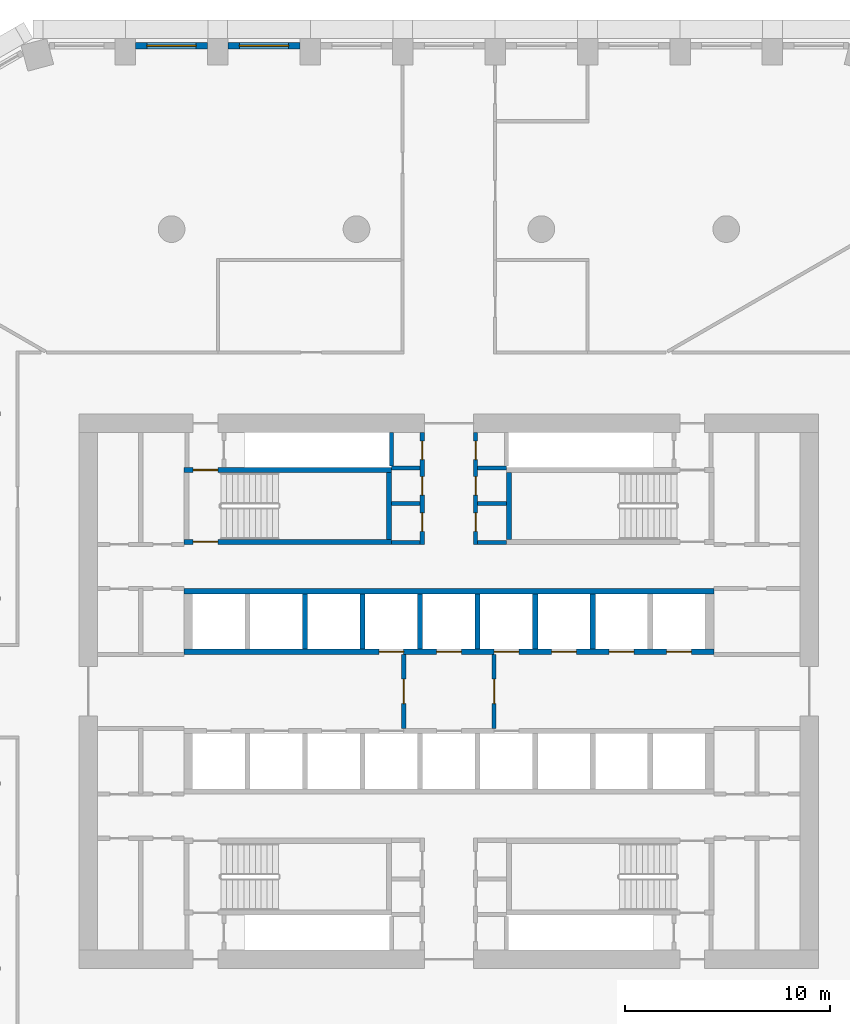
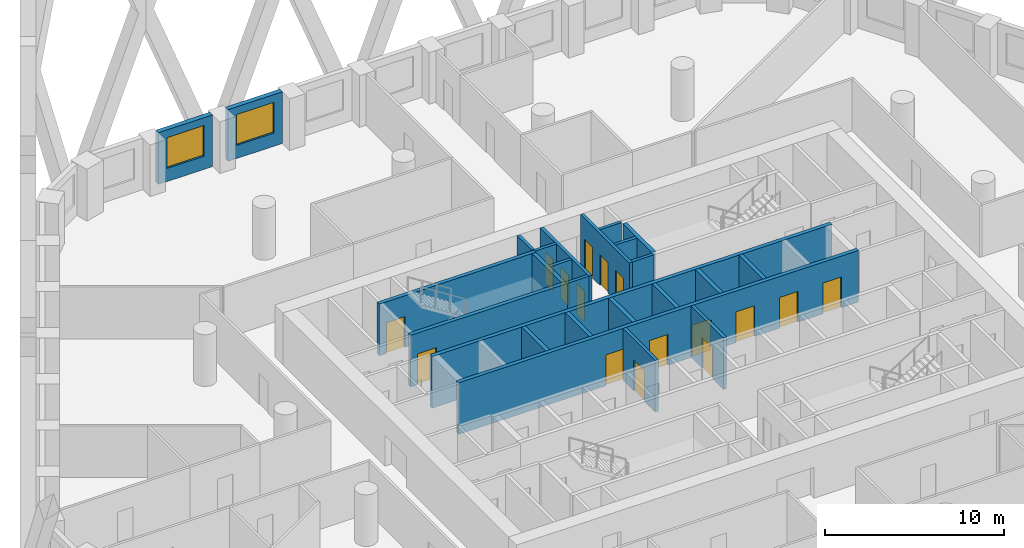
# One storey, part 6 of 18: 25 walls, 16 doors, 2 windows, 18 openings.
"""IFC4 building model written with IfcOpenShell, lengths in metres."""

from ifc_helpers import new_model, si_unit, direction, frame, frame_2d, origin, place, context, subcontext, project, spatial, polyline, rectangle, outline, extrude, material, layer, layer_set, type_object, element, fill, save


model = new_model("IFC4")

# Units and contexts
model_context = context("Model", 3, precision=1e-05, world=origin(), true_north=direction((0.0, 1.0)))
body_context = subcontext(model_context, "Body", "Model", "MODEL_VIEW")
ifc_project = project(units=[si_unit("LENGTHUNIT", "METRE"), si_unit("AREAUNIT", "SQUARE_METRE"), si_unit("VOLUMEUNIT", "CUBIC_METRE"), si_unit("PLANEANGLEUNIT", "RADIAN"), si_unit("MASSUNIT", "GRAM", prefix="KILO")], contexts=[model_context])

# Site, building, storey
site_placement = place(None, origin())
site = spatial("IfcSite", under=ifc_project, at=site_placement, CompositionType="ELEMENT")
building_placement = place(site_placement, origin())
building = spatial("IfcBuilding", under=site, at=building_placement, Name="Dhurran Vertical Campus", CompositionType="ELEMENT")
storey_placement = place(building_placement, frame((0.0, 0.0, 104.699951171875)))
storey = spatial("IfcBuildingStorey", under=building, at=storey_placement, Name="L25", CompositionType="ELEMENT", Elevation=104.699951171875)

# Wall, opening, window
ifc_material_1 = material(Name="Precast concrete C50/60", Category="concrete")
ifc_layer_1 = layer(ifc_material_1, 0.300048828125)
ifc_layer_set_1 = layer_set([ifc_layer_1], Name="Precast concrete C50/60")
wall_type_1 = type_object("IfcWallType", Name="Precast spandrel wall 300", PredefinedType="SOLIDWALL", material=ifc_layer_set_1)
wall_1_placement = place(storey_placement, frame((-7.25048828125, 31.4296875, 0.0), z_axis=(0.0, 0.0, 1.0), x_axis=(-1.0, 0.0, 0.0)))
wall_1 = element("IfcWall", 1, at=wall_1_placement, inside=storey, type_object=wall_type_1, Name="EW1 L25.32", PredefinedType="SOLIDWALL", context=body_context, shape_type="SweptSolid", body=[
    extrude(rectangle(XDim=3.4990234375, YDim=0.300048828125, at=frame_2d((1.74951171875, 0.0))), origin(), (0.0, 0.0, 1.0), 3.525146484375),
])
opening_1_placement = place(wall_1_placement, frame((0.549560546875, 0.0, 0.89990234375)))
opening_1 = element("IfcOpeningElement", 2, at=opening_1_placement, cuts=wall_1, Name="Opening WT1", PredefinedType="OPENING", context=body_context, shape_type="SweptSolid", body=[
    extrude(rectangle(XDim=2.39990234375, YDim=2.10009765625, at=frame_2d((1.199951171875, 1.050048828125))), frame((0.0, 0.159912109375, 0.0), z_axis=(0.0, -1.0, 0.0), x_axis=(1.0, 0.0, 0.0)), (0.0, 0.0, 1.0), 0.320068359375),
])
ifc_material_2 = material(Name="Aluminium frame with solar-control glass", Category="aluminium")
window_type = type_object("IfcWindowType", Name="Punched window 2400 x 2100", PartitioningType="SINGLE_PANEL", PredefinedType="WINDOW", material=ifc_material_2)
window_1_placement = place(opening_1_placement, origin())
window_1 = element("IfcWindow", 3, at=window_1_placement, inside=storey, type_object=window_type, Name="WT1 L25.32", OverallHeight=2.10009765625, OverallWidth=2.39990234375, PartitioningType="SINGLE_PANEL", PredefinedType="WINDOW", context=body_context, shape_type="SweptSolid", body=[
    extrude(rectangle(XDim=2.39990234375, YDim=2.10009765625, at=frame_2d((1.199951171875, 1.050048828125))), frame((0.0, 0.030029296875, 0.0), z_axis=(0.0, -1.0, 0.0), x_axis=(1.0, 0.0, 0.0)), (0.0, 0.0, 1.0), 0.06005859375),
])
fill(opening_1, window_1)

wall_2_placement = place(storey_placement, frame((-11.75048828125, 31.4296875, 0.0), z_axis=(0.0, 0.0, 1.0), x_axis=(-1.0, 0.0, 0.0)))
wall_2 = element("IfcWall", 4, at=wall_2_placement, inside=storey, type_object=wall_type_1, Name="EW1 L25.33", PredefinedType="SOLIDWALL", context=body_context, shape_type="SweptSolid", body=[
    extrude(rectangle(XDim=3.4990234375, YDim=0.300048828125, at=frame_2d((1.74951171875, 0.0))), origin(), (0.0, 0.0, 1.0), 3.525146484375),
])
opening_2_placement = place(wall_2_placement, frame((0.549560546875, 0.0, 0.89990234375)))
opening_2 = element("IfcOpeningElement", 5, at=opening_2_placement, cuts=wall_2, Name="Opening WT1", PredefinedType="OPENING", context=body_context, shape_type="SweptSolid", body=[
    extrude(rectangle(XDim=2.39990234375, YDim=2.10009765625, at=frame_2d((1.199951171875, 1.050048828125))), frame((0.0, 0.159912109375, 0.0), z_axis=(0.0, -1.0, 0.0), x_axis=(1.0, 0.0, 0.0)), (0.0, 0.0, 1.0), 0.320068359375),
])
window_2_placement = place(opening_2_placement, origin())
window_2 = element("IfcWindow", 6, at=window_2_placement, inside=storey, type_object=window_type, Name="WT1 L25.33", OverallHeight=2.10009765625, OverallWidth=2.39990234375, PartitioningType="SINGLE_PANEL", PredefinedType="WINDOW", context=body_context, shape_type="SweptSolid", body=[
    extrude(rectangle(XDim=2.39990234375, YDim=2.10009765625, at=frame_2d((1.199951171875, 1.050048828125))), frame((0.0, 0.030029296875, 0.0), z_axis=(0.0, -1.0, 0.0), x_axis=(1.0, 0.0, 0.0)), (0.0, 0.0, 1.0), 0.06005859375),
])
fill(opening_2, window_2)

# Wall, opening, door
ifc_material_3 = material(Name="Fire-rated masonry blockwork", Category="masonry")
ifc_layer_2 = layer(ifc_material_3, 0.199951171875)
ifc_layer_set_2 = layer_set([ifc_layer_2], Name="Fire-rated masonry blockwork")
wall_type_2 = type_object("IfcWallType", Name="co-FIRE-PARTITION-200", PredefinedType="PARTITIONING", material=ifc_layer_set_2)
wall_3_placement = place(storey_placement, frame((-2.199951171875, -1.800048828125, 0.0), z_axis=(0.0, 0.0, 1.0), x_axis=(0.0, 1.0, 0.0)))
wall_3 = element("IfcWall", 7, at=wall_3_placement, inside=storey, type_object=wall_type_2, Name="Firefighting lobby wall W L25", PredefinedType="PARTITIONING", context=body_context, shape_type="SweptSolid", body=[
    extrude(rectangle(XDim=3.60009765625, YDim=0.199951171875, at=frame_2d((1.800048828125, 0.0))), origin(), (0.0, 0.0, 1.0), 3.525146484375),
])
opening_3_placement = place(wall_3_placement, frame((1.199951171875, 0.0, 0.0)))
opening_3 = element("IfcOpeningElement", 8, at=opening_3_placement, cuts=wall_3, Name="Opening FL1", PredefinedType="OPENING", context=body_context, shape_type="SweptSolid", body=[
    extrude(rectangle(XDim=1.199951171875, YDim=2.10009765625, at=frame_2d((0.60009765625, 1.050048828125))), frame((0.0, 0.10986328125, 0.0), z_axis=(0.0, -1.0, 0.0), x_axis=(1.0, 0.0, 0.0)), (0.0, 0.0, 1.0), 0.219970703125),
])
ifc_material_4 = material(Name="Fire-rated steel door set", Category="steel")
door_type_1 = type_object("IfcDoorType", Name="co-D-FFLOBBY 1200x2100", OperationType="SINGLE_SWING_LEFT", PredefinedType="DOOR", material=ifc_material_4)
door_1_placement = place(opening_3_placement, origin())
door_1 = element("IfcDoor", 9, at=door_1_placement, inside=storey, type_object=door_type_1, Name="Firefighting lobby door W L25", OperationType="SINGLE_SWING_LEFT", OverallHeight=2.10009765625, OverallWidth=1.199951171875, PredefinedType="DOOR", context=body_context, shape_type="SweptSolid", body=[
    extrude(rectangle(XDim=1.199951171875, YDim=2.10009765625, at=frame_2d((0.60009765625, 1.050048828125))), frame((0.0, 0.02490234375, 0.0), z_axis=(0.0, -1.0, 0.0), x_axis=(1.0, 0.0, 0.0)), (0.0, 0.0, 1.0), 0.050048828125),
])
fill(opening_3, door_1)

wall_4_placement = place(storey_placement, frame((2.199951171875, -1.800048828125, 0.0), z_axis=(0.0, 0.0, 1.0), x_axis=(0.0, 1.0, 0.0)))
wall_4 = element("IfcWall", 10, at=wall_4_placement, inside=storey, type_object=wall_type_2, Name="Firefighting lobby wall E L25", PredefinedType="PARTITIONING", context=body_context, shape_type="SweptSolid", body=[
    extrude(rectangle(XDim=3.60009765625, YDim=0.199951171875, at=frame_2d((1.800048828125, 0.0))), origin(), (0.0, 0.0, 1.0), 3.525146484375),
])
opening_4_placement = place(wall_4_placement, frame((1.199951171875, 0.0, 0.0)))
opening_4 = element("IfcOpeningElement", 11, at=opening_4_placement, cuts=wall_4, Name="Opening FL2", PredefinedType="OPENING", context=body_context, shape_type="SweptSolid", body=[
    extrude(rectangle(XDim=1.199951171875, YDim=2.10009765625, at=frame_2d((0.60009765625, 1.050048828125))), frame((0.0, 0.10986328125, 0.0), z_axis=(0.0, -1.0, 0.0), x_axis=(1.0, 0.0, 0.0)), (0.0, 0.0, 1.0), 0.219970703125),
])
door_2_placement = place(opening_4_placement, origin())
door_2 = element("IfcDoor", 12, at=door_2_placement, inside=storey, type_object=door_type_1, Name="Firefighting lobby door E L25", OperationType="SINGLE_SWING_LEFT", OverallHeight=2.10009765625, OverallWidth=1.199951171875, PredefinedType="DOOR", context=body_context, shape_type="SweptSolid", body=[
    extrude(rectangle(XDim=1.199951171875, YDim=2.10009765625, at=frame_2d((0.60009765625, 1.050048828125))), frame((0.0, 0.02490234375, 0.0), z_axis=(0.0, -1.0, 0.0), x_axis=(1.0, 0.0, 0.0)), (0.0, 0.0, 1.0), 0.050048828125),
])
fill(opening_4, door_2)

# Walls
for number, where, z_axis, x_axis, name in (
    (13, (-2.800048828125, 7.25, 0.0), (0.0, 0.0, 1.0), (1.0, 0.0, 0.0), "Core partition sl-NW-S L25"),
    (14, (-2.800048828125, 9.135009765625, 0.0), (0.0, 0.0, 1.0), (1.0, 0.0, 0.0), "Core partition sl-NW-cut0 L25"),
    (15, (-2.800048828125, 10.867431640625, 0.0), (0.0, 0.0, 1.0), (1.0, 0.0, 0.0), "Core partition sl-NW-cut1 L25"),
    (16, (1.39990234375, 7.25, 0.0), (0.0, 0.0, 1.0), (1.0, 0.0, 0.0), "Core partition sl-NE-S L25"),
    (17, (1.39990234375, 9.135009765625, 0.0), (0.0, 0.0, 1.0), (1.0, 0.0, 0.0), "Core partition sl-NE-cut0 L25"),
    (18, (1.39990234375, 10.867431640625, 0.0), (0.0, 0.0, 1.0), (1.0, 0.0, 0.0), "Core partition sl-NE-cut1 L25"),
):
    element("IfcWall", number, at=place(storey_placement, frame(where, z_axis=z_axis, x_axis=x_axis)), inside=storey, type_object=wall_type_2, Name=name, PredefinedType="PARTITIONING", context=body_context, shape_type="SweptSolid", body=[
        extrude(rectangle(XDim=1.400146484375, YDim=0.199951171875, at=frame_2d((0.7001953125, 0.0))), origin(), (0.0, 0.0, 1.0), 3.525146484375),
    ])

# Wall, openings, doors
wall_5_placement = place(storey_placement, frame((-1.300048828125, 7.14990234375, 0.0), z_axis=(0.0, 0.0, 1.0), x_axis=(0.0, 1.0, 0.0)))
wall_5 = element("IfcWall", 19, at=wall_5_placement, inside=storey, type_object=wall_type_2, Name="Core partition vest-NW L25", PredefinedType="PARTITIONING", context=body_context, shape_type="SweptSolid", body=[
    extrude(rectangle(XDim=5.4501953125, YDim=0.199951171875, at=frame_2d((2.72509765625, 0.0))), origin(), (0.0, 0.0, 1.0), 3.525146484375),
])
opening_5_placement = place(wall_5_placement, frame((0.642578125, 0.0, 0.0)))
opening_5 = element("IfcOpeningElement", 20, at=opening_5_placement, cuts=wall_5, Name="Opening T07-C7", PredefinedType="OPENING", context=body_context, shape_type="SweptSolid", body=[
    extrude(rectangle(XDim=0.89990234375, YDim=2.10009765625, at=frame_2d((0.449951171875, 1.050048828125))), frame((0.0, 0.10986328125, 0.0), z_axis=(0.0, -1.0, 0.0), x_axis=(1.0, 0.0, 0.0)), (0.0, 0.0, 1.0), 0.219970703125),
])
opening_6_placement = place(wall_5_placement, frame((2.401123046875, 0.0, 0.0)))
opening_6 = element("IfcOpeningElement", 21, at=opening_6_placement, cuts=wall_5, Name="Opening T07-C8", PredefinedType="OPENING", context=body_context, shape_type="SweptSolid", body=[
    extrude(rectangle(XDim=0.89990234375, YDim=2.10009765625, at=frame_2d((0.449951171875, 1.050048828125))), frame((0.0, 0.10986328125, 0.0), z_axis=(0.0, -1.0, 0.0), x_axis=(1.0, 0.0, 0.0)), (0.0, 0.0, 1.0), 0.219970703125),
])
opening_7_placement = place(wall_5_placement, frame((4.1337890625, 0.0, 0.0)))
opening_7 = element("IfcOpeningElement", 22, at=opening_7_placement, cuts=wall_5, Name="Opening T07-C9", PredefinedType="OPENING", context=body_context, shape_type="SweptSolid", body=[
    extrude(rectangle(XDim=0.89990234375, YDim=2.10009765625, at=frame_2d((0.449951171875, 1.050048828125))), frame((0.0, 0.10986328125, 0.0), z_axis=(0.0, -1.0, 0.0), x_axis=(1.0, 0.0, 0.0)), (0.0, 0.0, 1.0), 0.219970703125),
])
ifc_material_5 = material(Name="Fire-rated timber door set", Category="wood")
door_type_2 = type_object("IfcDoorType", Name="co-D-ROOM 900x2100", OperationType="SINGLE_SWING_LEFT", PredefinedType="DOOR", material=ifc_material_5)
door_3_placement = place(opening_5_placement, origin())
door_3 = element("IfcDoor", 23, at=door_3_placement, inside=storey, type_object=door_type_2, Name="Plant room door L25", OperationType="SINGLE_SWING_LEFT", OverallHeight=2.10009765625, OverallWidth=0.89990234375, PredefinedType="DOOR", context=body_context, shape_type="SweptSolid", body=[
    extrude(rectangle(XDim=0.89990234375, YDim=2.10009765625, at=frame_2d((0.449951171875, 1.050048828125))), frame((0.0, 0.02490234375, 0.0), z_axis=(0.0, -1.0, 0.0), x_axis=(1.0, 0.0, 0.0)), (0.0, 0.0, 1.0), 0.050048828125),
])
fill(opening_5, door_3)
door_4_placement = place(opening_6_placement, origin())
door_4 = element("IfcDoor", 24, at=door_4_placement, inside=storey, type_object=door_type_2, Name="Communications room door L25", OperationType="SINGLE_SWING_LEFT", OverallHeight=2.10009765625, OverallWidth=0.89990234375, PredefinedType="DOOR", context=body_context, shape_type="SweptSolid", body=[
    extrude(rectangle(XDim=0.89990234375, YDim=2.10009765625, at=frame_2d((0.449951171875, 1.050048828125))), frame((0.0, 0.02490234375, 0.0), z_axis=(0.0, -1.0, 0.0), x_axis=(1.0, 0.0, 0.0)), (0.0, 0.0, 1.0), 0.050048828125),
])
fill(opening_6, door_4)
door_5_placement = place(opening_7_placement, origin())
door_5 = element("IfcDoor", 25, at=door_5_placement, inside=storey, type_object=door_type_2, Name="Water riser door L25", OperationType="SINGLE_SWING_LEFT", OverallHeight=2.10009765625, OverallWidth=0.89990234375, PredefinedType="DOOR", context=body_context, shape_type="SweptSolid", body=[
    extrude(rectangle(XDim=0.89990234375, YDim=2.10009765625, at=frame_2d((0.449951171875, 1.050048828125))), frame((0.0, 0.02490234375, 0.0), z_axis=(0.0, -1.0, 0.0), x_axis=(1.0, 0.0, 0.0)), (0.0, 0.0, 1.0), 0.050048828125),
])
fill(opening_7, door_5)

wall_6_placement = place(storey_placement, frame((1.300048828125, 7.14990234375, 0.0), z_axis=(0.0, 0.0, 1.0), x_axis=(0.0, 1.0, 0.0)))
wall_6 = element("IfcWall", 26, at=wall_6_placement, inside=storey, type_object=wall_type_2, Name="Core partition vest-NE L25", PredefinedType="PARTITIONING", context=body_context, shape_type="SweptSolid", body=[
    extrude(rectangle(XDim=5.4501953125, YDim=0.199951171875, at=frame_2d((2.72509765625, 0.0))), origin(), (0.0, 0.0, 1.0), 3.525146484375),
])
opening_8_placement = place(wall_6_placement, frame((0.642578125, 0.0, 0.0)))
opening_8 = element("IfcOpeningElement", 27, at=opening_8_placement, cuts=wall_6, Name="Opening T07-C10", PredefinedType="OPENING", context=body_context, shape_type="SweptSolid", body=[
    extrude(rectangle(XDim=0.89990234375, YDim=2.10009765625, at=frame_2d((0.449951171875, 1.050048828125))), frame((0.0, 0.10986328125, 0.0), z_axis=(0.0, -1.0, 0.0), x_axis=(1.0, 0.0, 0.0)), (0.0, 0.0, 1.0), 0.219970703125),
])
opening_9_placement = place(wall_6_placement, frame((2.401123046875, 0.0, 0.0)))
opening_9 = element("IfcOpeningElement", 28, at=opening_9_placement, cuts=wall_6, Name="Opening T07-C11", PredefinedType="OPENING", context=body_context, shape_type="SweptSolid", body=[
    extrude(rectangle(XDim=0.89990234375, YDim=2.10009765625, at=frame_2d((0.449951171875, 1.050048828125))), frame((0.0, 0.10986328125, 0.0), z_axis=(0.0, -1.0, 0.0), x_axis=(1.0, 0.0, 0.0)), (0.0, 0.0, 1.0), 0.219970703125),
])
opening_10_placement = place(wall_6_placement, frame((4.1337890625, 0.0, 0.0)))
opening_10 = element("IfcOpeningElement", 29, at=opening_10_placement, cuts=wall_6, Name="Opening T07-C12", PredefinedType="OPENING", context=body_context, shape_type="SweptSolid", body=[
    extrude(rectangle(XDim=0.89990234375, YDim=2.10009765625, at=frame_2d((0.449951171875, 1.050048828125))), frame((0.0, 0.10986328125, 0.0), z_axis=(0.0, -1.0, 0.0), x_axis=(1.0, 0.0, 0.0)), (0.0, 0.0, 1.0), 0.219970703125),
])
door_6_placement = place(opening_8_placement, origin())
door_6 = element("IfcDoor", 30, at=door_6_placement, inside=storey, type_object=door_type_2, Name="Store door L25", OperationType="SINGLE_SWING_LEFT", OverallHeight=2.10009765625, OverallWidth=0.89990234375, PredefinedType="DOOR", context=body_context, shape_type="SweptSolid", body=[
    extrude(rectangle(XDim=0.89990234375, YDim=2.10009765625, at=frame_2d((0.449951171875, 1.050048828125))), frame((0.0, 0.02490234375, 0.0), z_axis=(0.0, -1.0, 0.0), x_axis=(1.0, 0.0, 0.0)), (0.0, 0.0, 1.0), 0.050048828125),
])
fill(opening_8, door_6)
door_7_placement = place(opening_9_placement, origin())
door_7 = element("IfcDoor", 31, at=door_7_placement, inside=storey, type_object=door_type_2, Name="Housekeeping store door L25", OperationType="SINGLE_SWING_LEFT", OverallHeight=2.10009765625, OverallWidth=0.89990234375, PredefinedType="DOOR", context=body_context, shape_type="SweptSolid", body=[
    extrude(rectangle(XDim=0.89990234375, YDim=2.10009765625, at=frame_2d((0.449951171875, 1.050048828125))), frame((0.0, 0.02490234375, 0.0), z_axis=(0.0, -1.0, 0.0), x_axis=(1.0, 0.0, 0.0)), (0.0, 0.0, 1.0), 0.050048828125),
])
fill(opening_9, door_7)
door_8_placement = place(opening_10_placement, origin())
door_8 = element("IfcDoor", 32, at=door_8_placement, inside=storey, type_object=door_type_2, Name="Waste room door L25", OperationType="SINGLE_SWING_LEFT", OverallHeight=2.10009765625, OverallWidth=0.89990234375, PredefinedType="DOOR", context=body_context, shape_type="SweptSolid", body=[
    extrude(rectangle(XDim=0.89990234375, YDim=2.10009765625, at=frame_2d((0.449951171875, 1.050048828125))), frame((0.0, 0.02490234375, 0.0), z_axis=(0.0, -1.0, 0.0), x_axis=(1.0, 0.0, 0.0)), (0.0, 0.0, 1.0), 0.050048828125),
])
fill(opening_10, door_8)

# Wall
wall_7_placement = place(storey_placement, frame((-2.800048828125, 10.968505859375, 0.0), z_axis=(0.0, 0.0, 1.0), x_axis=(0.0, 1.0, 0.0)))
element("IfcWall", 33, at=wall_7_placement, inside=storey, type_object=wall_type_2, Name="Riser enclosure wall L25", PredefinedType="PARTITIONING", context=body_context, shape_type="SweptSolid", body=[
    extrude(rectangle(XDim=1.630615234375, YDim=0.199951171875, at=frame_2d((0.8154296875, 0.0))), origin(), (0.0, 0.0, 1.0), 3.525146484375),
])

# Wall, openings, doors
ifc_material_6 = material(Name="Concrete C50/60", Category="concrete")
ifc_layer_3 = layer(ifc_material_6, 0.25)
ifc_layer_set_3 = layer_set([ifc_layer_3], Name="Concrete C50/60")
wall_type_3 = type_object("IfcWallType", Name="co-SHAFT-FRONT-250", PredefinedType="SHEAR", material=ifc_layer_set_3)
wall_8_placement = place(storey_placement, frame((-12.89990234375, 1.925048828125, 0.0), z_axis=(0.0, 0.0, 1.0), x_axis=(1.0, 0.0, 0.0)))
wall_8 = element("IfcWall", 34, at=wall_8_placement, inside=storey, type_object=wall_type_3, Name="Lift landing wall N L25", PredefinedType="SHEAR", context=body_context, shape_type="SweptSolid", body=[
    extrude(rectangle(XDim=25.7998046875, YDim=0.25, at=frame_2d((12.89990234375, 0.0))), origin(), (0.0, 0.0, 1.0), 3.525146484375),
])
opening_11_placement = place(wall_8_placement, frame((9.5, 0.0, 0.0)))
opening_11 = element("IfcOpeningElement", 35, at=opening_11_placement, cuts=wall_8, Name="Opening LD", PredefinedType="OPENING", context=body_context, shape_type="SweptSolid", body=[
    extrude(rectangle(XDim=1.199951171875, YDim=2.10009765625, at=frame_2d((0.60009765625, 1.050048828125))), frame((0.0, 0.135009765625, 0.0), z_axis=(0.0, -1.0, 0.0), x_axis=(1.0, 0.0, 0.0)), (0.0, 0.0, 1.0), 0.27001953125),
])
opening_12_placement = place(wall_8_placement, frame((12.300048828125, 0.0, 0.0)))
opening_12 = element("IfcOpeningElement", 36, at=opening_12_placement, cuts=wall_8, Name="Opening LD", PredefinedType="OPENING", context=body_context, shape_type="SweptSolid", body=[
    extrude(rectangle(XDim=1.199951171875, YDim=2.10009765625, at=frame_2d((0.60009765625, 1.050048828125))), frame((0.0, 0.135009765625, 0.0), z_axis=(0.0, -1.0, 0.0), x_axis=(1.0, 0.0, 0.0)), (0.0, 0.0, 1.0), 0.27001953125),
])
opening_13_placement = place(wall_8_placement, frame((15.10009765625, 0.0, 0.0)))
opening_13 = element("IfcOpeningElement", 37, at=opening_13_placement, cuts=wall_8, Name="Opening LD", PredefinedType="OPENING", context=body_context, shape_type="SweptSolid", body=[
    extrude(rectangle(XDim=1.199951171875, YDim=2.10009765625, at=frame_2d((0.60009765625, 1.050048828125))), frame((0.0, 0.135009765625, 0.0), z_axis=(0.0, -1.0, 0.0), x_axis=(1.0, 0.0, 0.0)), (0.0, 0.0, 1.0), 0.27001953125),
])
opening_14_placement = place(wall_8_placement, frame((17.89990234375, 0.0, 0.0)))
opening_14 = element("IfcOpeningElement", 38, at=opening_14_placement, cuts=wall_8, Name="Opening LD", PredefinedType="OPENING", context=body_context, shape_type="SweptSolid", body=[
    extrude(rectangle(XDim=1.199951171875, YDim=2.10009765625, at=frame_2d((0.60009765625, 1.050048828125))), frame((0.0, 0.135009765625, 0.0), z_axis=(0.0, -1.0, 0.0), x_axis=(1.0, 0.0, 0.0)), (0.0, 0.0, 1.0), 0.27001953125),
])
opening_15_placement = place(wall_8_placement, frame((20.699951171875, 0.0, 0.0)))
opening_15 = element("IfcOpeningElement", 39, at=opening_15_placement, cuts=wall_8, Name="Opening LD", PredefinedType="OPENING", context=body_context, shape_type="SweptSolid", body=[
    extrude(rectangle(XDim=1.199951171875, YDim=2.10009765625, at=frame_2d((0.60009765625, 1.050048828125))), frame((0.0, 0.135009765625, 0.0), z_axis=(0.0, -1.0, 0.0), x_axis=(1.0, 0.0, 0.0)), (0.0, 0.0, 1.0), 0.27001953125),
])
opening_16_placement = place(wall_8_placement, frame((23.5, 0.0, 0.0)))
opening_16 = element("IfcOpeningElement", 40, at=opening_16_placement, cuts=wall_8, Name="Opening LD", PredefinedType="OPENING", context=body_context, shape_type="SweptSolid", body=[
    extrude(rectangle(XDim=1.199951171875, YDim=2.10009765625, at=frame_2d((0.60009765625, 1.050048828125))), frame((0.0, 0.135009765625, 0.0), z_axis=(0.0, -1.0, 0.0), x_axis=(1.0, 0.0, 0.0)), (0.0, 0.0, 1.0), 0.27001953125),
])
ifc_material_7 = material(Name="Stainless steel landing door", Category="steel")
door_type_3 = type_object("IfcDoorType", Name="co-D-LANDING 1200x2100", OperationType="DOUBLE_DOOR_SLIDING", PredefinedType="DOOR", material=ifc_material_7)
door_9_placement = place(opening_11_placement, origin())
door_9 = element("IfcDoor", 41, at=door_9_placement, inside=storey, type_object=door_type_3, Name="Landing door LR1 L25", OperationType="DOUBLE_DOOR_SLIDING", OverallHeight=2.10009765625, OverallWidth=1.199951171875, PredefinedType="DOOR", context=body_context, shape_type="SweptSolid", body=[
    extrude(rectangle(XDim=1.199951171875, YDim=2.10009765625, at=frame_2d((0.60009765625, 1.050048828125))), frame((0.0, 0.02490234375, 0.0), z_axis=(0.0, -1.0, 0.0), x_axis=(1.0, 0.0, 0.0)), (0.0, 0.0, 1.0), 0.050048828125),
])
fill(opening_11, door_9)
door_10_placement = place(opening_12_placement, origin())
door_10 = element("IfcDoor", 42, at=door_10_placement, inside=storey, type_object=door_type_3, Name="Landing door FF1 L25", OperationType="DOUBLE_DOOR_SLIDING", OverallHeight=2.10009765625, OverallWidth=1.199951171875, PredefinedType="DOOR", context=body_context, shape_type="SweptSolid", body=[
    extrude(rectangle(XDim=1.199951171875, YDim=2.10009765625, at=frame_2d((0.60009765625, 1.050048828125))), frame((0.0, 0.02490234375, 0.0), z_axis=(0.0, -1.0, 0.0), x_axis=(1.0, 0.0, 0.0)), (0.0, 0.0, 1.0), 0.050048828125),
])
fill(opening_12, door_10)
door_11_placement = place(opening_13_placement, origin())
door_11 = element("IfcDoor", 43, at=door_11_placement, inside=storey, type_object=door_type_3, Name="Landing door LR2 L25", OperationType="DOUBLE_DOOR_SLIDING", OverallHeight=2.10009765625, OverallWidth=1.199951171875, PredefinedType="DOOR", context=body_context, shape_type="SweptSolid", body=[
    extrude(rectangle(XDim=1.199951171875, YDim=2.10009765625, at=frame_2d((0.60009765625, 1.050048828125))), frame((0.0, 0.02490234375, 0.0), z_axis=(0.0, -1.0, 0.0), x_axis=(1.0, 0.0, 0.0)), (0.0, 0.0, 1.0), 0.050048828125),
])
fill(opening_13, door_11)
door_12_placement = place(opening_14_placement, origin())
door_12 = element("IfcDoor", 44, at=door_12_placement, inside=storey, type_object=door_type_3, Name="Landing door LR3 L25", OperationType="DOUBLE_DOOR_SLIDING", OverallHeight=2.10009765625, OverallWidth=1.199951171875, PredefinedType="DOOR", context=body_context, shape_type="SweptSolid", body=[
    extrude(rectangle(XDim=1.199951171875, YDim=2.10009765625, at=frame_2d((0.60009765625, 1.050048828125))), frame((0.0, 0.02490234375, 0.0), z_axis=(0.0, -1.0, 0.0), x_axis=(1.0, 0.0, 0.0)), (0.0, 0.0, 1.0), 0.050048828125),
])
fill(opening_14, door_12)
door_13_placement = place(opening_15_placement, origin())
door_13 = element("IfcDoor", 45, at=door_13_placement, inside=storey, type_object=door_type_3, Name="Landing door LR4 L25", OperationType="DOUBLE_DOOR_SLIDING", OverallHeight=2.10009765625, OverallWidth=1.199951171875, PredefinedType="DOOR", context=body_context, shape_type="SweptSolid", body=[
    extrude(rectangle(XDim=1.199951171875, YDim=2.10009765625, at=frame_2d((0.60009765625, 1.050048828125))), frame((0.0, 0.02490234375, 0.0), z_axis=(0.0, -1.0, 0.0), x_axis=(1.0, 0.0, 0.0)), (0.0, 0.0, 1.0), 0.050048828125),
])
fill(opening_15, door_13)
door_14_placement = place(opening_16_placement, origin())
door_14 = element("IfcDoor", 46, at=door_14_placement, inside=storey, type_object=door_type_3, Name="Landing door SV2 L25", OperationType="DOUBLE_DOOR_SLIDING", OverallHeight=2.10009765625, OverallWidth=1.199951171875, PredefinedType="DOOR", context=body_context, shape_type="SweptSolid", body=[
    extrude(rectangle(XDim=1.199951171875, YDim=2.10009765625, at=frame_2d((0.60009765625, 1.050048828125))), frame((0.0, 0.02490234375, 0.0), z_axis=(0.0, -1.0, 0.0), x_axis=(1.0, 0.0, 0.0)), (0.0, 0.0, 1.0), 0.050048828125),
])
fill(opening_16, door_14)

# Walls
ifc_material_8 = material(Name="Concrete C50/60", Category="concrete")
ifc_layer_4 = layer(ifc_material_8, 0.25)
ifc_layer_set_4 = layer_set([ifc_layer_4], Name="Concrete C50/60")
wall_type_4 = type_object("IfcWallType", Name="co-SHAFT-MASS-250", PredefinedType="SHEAR", material=ifc_layer_set_4)
wall_9_placement = place(storey_placement, origin())
element("IfcWall", 47, at=wall_9_placement, inside=storey, type_object=wall_type_4, Name="Lift shaft wall N L25 1", PredefinedType="SHEAR", context=body_context, shape_type="SweptSolid", body=[
    extrude(outline(polyline([(-12.89990234375, 4.75), (12.89990234375, 4.75), (12.89990234375, 5.0), (-12.89990234375, 5.0), (-12.89990234375, 4.75)])), origin(), (0.0, 0.0, 1.0), 3.525146484375),
])
wall_10_placement = place(storey_placement, origin())
element("IfcWall", 48, at=wall_10_placement, inside=storey, type_object=wall_type_4, Name="Lift shaft wall N L25 4", PredefinedType="SHEAR", context=body_context, shape_type="SweptSolid", body=[
    extrude(outline(polyline([(-7.125, 2.050048828125), (-6.875, 2.050048828125), (-6.875, 4.75), (-7.125, 4.75), (-7.125, 2.050048828125)])), origin(), (0.0, 0.0, 1.0), 3.525146484375),
])
wall_11_placement = place(storey_placement, origin())
element("IfcWall", 49, at=wall_11_placement, inside=storey, type_object=wall_type_4, Name="Lift shaft wall N L25 5", PredefinedType="SHEAR", context=body_context, shape_type="SweptSolid", body=[
    extrude(outline(polyline([(-4.324951171875, 2.050048828125), (-4.074951171875, 2.050048828125), (-4.074951171875, 4.75), (-4.324951171875, 4.75), (-4.324951171875, 2.050048828125)])), origin(), (0.0, 0.0, 1.0), 3.525146484375),
])
wall_12_placement = place(storey_placement, origin())
element("IfcWall", 50, at=wall_12_placement, inside=storey, type_object=wall_type_4, Name="Lift shaft wall N L25 6", PredefinedType="SHEAR", context=body_context, shape_type="SweptSolid", body=[
    extrude(outline(polyline([(-1.52490234375, 2.050048828125), (-1.27490234375, 2.050048828125), (-1.27490234375, 4.75), (-1.52490234375, 4.75), (-1.52490234375, 2.050048828125)])), origin(), (0.0, 0.0, 1.0), 3.525146484375),
])
wall_13_placement = place(storey_placement, origin())
element("IfcWall", 51, at=wall_13_placement, inside=storey, type_object=wall_type_4, Name="Lift shaft wall N L25 7", PredefinedType="SHEAR", context=body_context, shape_type="SweptSolid", body=[
    extrude(outline(polyline([(1.27490234375, 2.050048828125), (1.52490234375, 2.050048828125), (1.52490234375, 4.75), (1.27490234375, 4.75), (1.27490234375, 2.050048828125)])), origin(), (0.0, 0.0, 1.0), 3.525146484375),
])
wall_14_placement = place(storey_placement, origin())
element("IfcWall", 52, at=wall_14_placement, inside=storey, type_object=wall_type_4, Name="Lift shaft wall N L25 8", PredefinedType="SHEAR", context=body_context, shape_type="SweptSolid", body=[
    extrude(outline(polyline([(4.074951171875, 2.050048828125), (4.324951171875, 2.050048828125), (4.324951171875, 4.75), (4.074951171875, 4.75), (4.074951171875, 2.050048828125)])), origin(), (0.0, 0.0, 1.0), 3.525146484375),
])
wall_15_placement = place(storey_placement, origin())
element("IfcWall", 53, at=wall_15_placement, inside=storey, type_object=wall_type_4, Name="Lift shaft wall N L25 9", PredefinedType="SHEAR", context=body_context, shape_type="SweptSolid", body=[
    extrude(outline(polyline([(6.875, 2.050048828125), (7.125, 2.050048828125), (7.125, 4.75), (6.875, 4.75), (6.875, 2.050048828125)])), origin(), (0.0, 0.0, 1.0), 3.525146484375),
])

# Wall, opening, door
ifc_material_9 = material(Name="Concrete C40/50", Category="concrete")
ifc_layer_5 = layer(ifc_material_9, 0.25)
ifc_layer_set_5 = layer_set([ifc_layer_5], Name="Concrete C40/50")
wall_type_5 = type_object("IfcWallType", Name="co-STAIR-WALL-250", PredefinedType="SHEAR", material=ifc_layer_set_5)
wall_16_placement = place(storey_placement, frame((-12.89990234375, 7.27490234375, 0.0), z_axis=(0.0, 0.0, 1.0), x_axis=(1.0, 0.0, 0.0)))
wall_16 = element("IfcWall", 54, at=wall_16_placement, inside=storey, type_object=wall_type_5, Name="Stair ST1 enclosure wall L25", PredefinedType="SHEAR", context=body_context, shape_type="SweptSolid", body=[
    extrude(rectangle(XDim=10.099853515625, YDim=0.25, at=frame_2d((5.0498046875, 0.0))), origin(), (0.0, 0.0, 1.0), 3.525146484375),
])
opening_17_placement = place(wall_16_placement, frame((0.449951171875, 0.0, 0.0)))
opening_17 = element("IfcOpeningElement", 55, at=opening_17_placement, cuts=wall_16, Name="Opening SD1", PredefinedType="OPENING", context=body_context, shape_type="SweptSolid", body=[
    extrude(rectangle(XDim=1.199951171875, YDim=2.10009765625, at=frame_2d((0.60009765625, 1.050048828125))), frame((0.0, 0.135009765625, 0.0), z_axis=(0.0, -1.0, 0.0), x_axis=(1.0, 0.0, 0.0)), (0.0, 0.0, 1.0), 0.27001953125),
])
ifc_material_10 = material(Name="Fire-rated steel door set", Category="steel")
door_type_4 = type_object("IfcDoorType", Name="co-D-STAIR 1200x2100", OperationType="SINGLE_SWING_LEFT", PredefinedType="DOOR", material=ifc_material_10)
door_15_placement = place(opening_17_placement, origin())
door_15 = element("IfcDoor", 56, at=door_15_placement, inside=storey, type_object=door_type_4, Name="Stair ST1 door L25", OperationType="SINGLE_SWING_LEFT", OverallHeight=2.10009765625, OverallWidth=1.199951171875, PredefinedType="DOOR", context=body_context, shape_type="SweptSolid", body=[
    extrude(rectangle(XDim=1.199951171875, YDim=2.10009765625, at=frame_2d((0.60009765625, 1.050048828125))), frame((0.0, 0.02490234375, 0.0), z_axis=(0.0, -1.0, 0.0), x_axis=(1.0, 0.0, 0.0)), (0.0, 0.0, 1.0), 0.050048828125),
])
fill(opening_17, door_15)

wall_17_placement = place(storey_placement, frame((-12.89990234375, 10.77490234375, 0.0), z_axis=(0.0, 0.0, 1.0), x_axis=(1.0, 0.0, 0.0)))
wall_17 = element("IfcWall", 57, at=wall_17_placement, inside=storey, type_object=wall_type_5, Name="Stair ST1 enclosure wall L25", PredefinedType="SHEAR", context=body_context, shape_type="SweptSolid", body=[
    extrude(rectangle(XDim=10.099853515625, YDim=0.25, at=frame_2d((5.0498046875, 0.0))), origin(), (0.0, 0.0, 1.0), 3.525146484375),
])
opening_18_placement = place(wall_17_placement, frame((0.449951171875, 0.0, 0.0)))
opening_18 = element("IfcOpeningElement", 58, at=opening_18_placement, cuts=wall_17, Name="Opening XS1", PredefinedType="OPENING", context=body_context, shape_type="SweptSolid", body=[
    extrude(rectangle(XDim=1.199951171875, YDim=2.10009765625, at=frame_2d((0.60009765625, 1.050048828125))), frame((0.0, 0.135009765625, 0.0), z_axis=(0.0, -1.0, 0.0), x_axis=(1.0, 0.0, 0.0)), (0.0, 0.0, 1.0), 0.27001953125),
])
ifc_material_11 = material(Name="Fire-rated steel door set", Category="steel")
door_type_5 = type_object("IfcDoorType", Name="co-D-STAIR-EXIT 1200x2100", OperationType="SINGLE_SWING_RIGHT", PredefinedType="DOOR", material=ifc_material_11)
door_16_placement = place(opening_18_placement, origin())
door_16 = element("IfcDoor", 59, at=door_16_placement, inside=storey, type_object=door_type_5, Name="Stair ST1 discharge door L25", OperationType="SINGLE_SWING_RIGHT", OverallHeight=2.10009765625, OverallWidth=1.199951171875, PredefinedType="DOOR", context=body_context, shape_type="SweptSolid", body=[
    extrude(rectangle(XDim=1.199951171875, YDim=2.10009765625, at=frame_2d((0.60009765625, 1.050048828125))), frame((0.0, 0.02490234375, 0.0), z_axis=(0.0, -1.0, 0.0), x_axis=(1.0, 0.0, 0.0)), (0.0, 0.0, 1.0), 0.050048828125),
])
fill(opening_18, door_16)

# Walls
for number, where, z_axis, x_axis, name in (
    (60, (-2.925048828125, 7.39990234375, 0.0), (0.0, 0.0, 1.0), (0.0, 1.0, 0.0), "Stair ST1 enclosure wall L25"),
    (61, (2.925048828125, 7.39990234375, 0.0), (0.0, 0.0, 1.0), (0.0, 1.0, 0.0), "Stair ST2 enclosure wall L25"),
):
    element("IfcWall", number, at=place(storey_placement, frame(where, z_axis=z_axis, x_axis=x_axis)), inside=storey, type_object=wall_type_5, Name=name, PredefinedType="SHEAR", context=body_context, shape_type="SweptSolid", body=[
        extrude(rectangle(XDim=3.25, YDim=0.25, at=frame_2d((1.625, 0.0))), origin(), (0.0, 0.0, 1.0), 3.525146484375),
    ])

save(model, "model.ifc")
